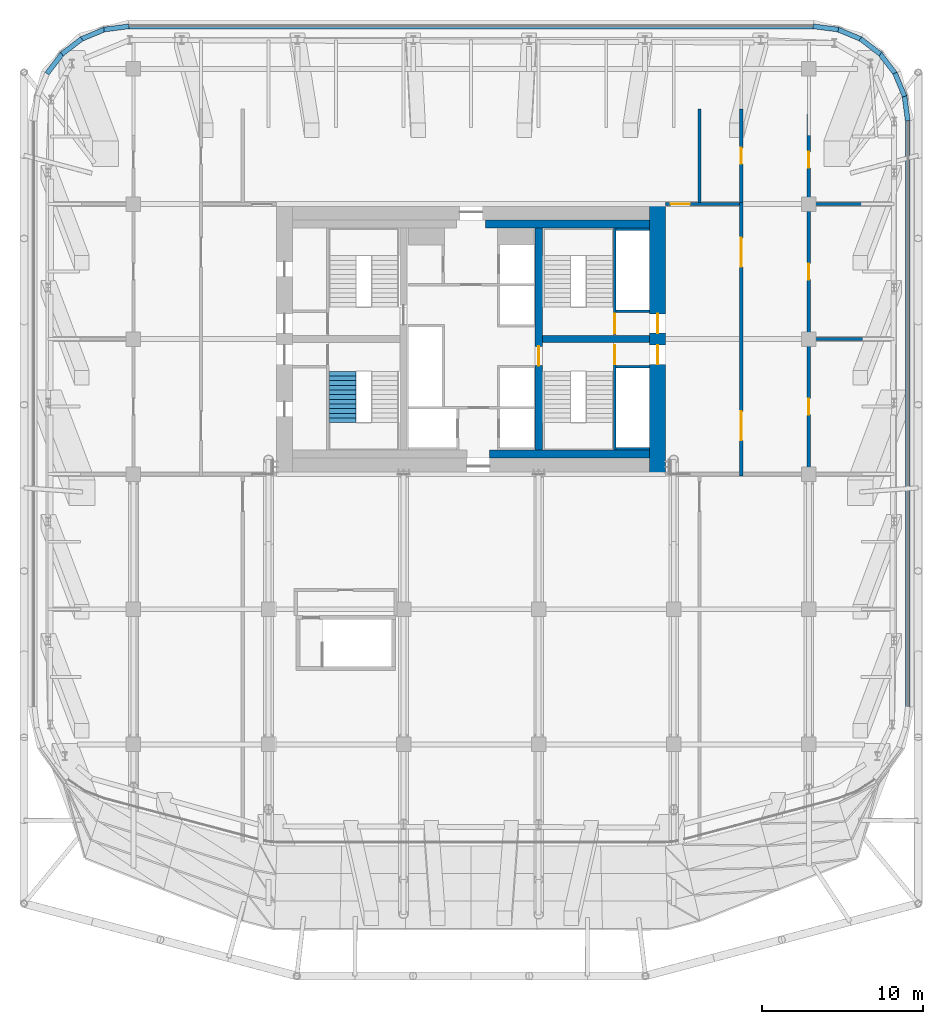
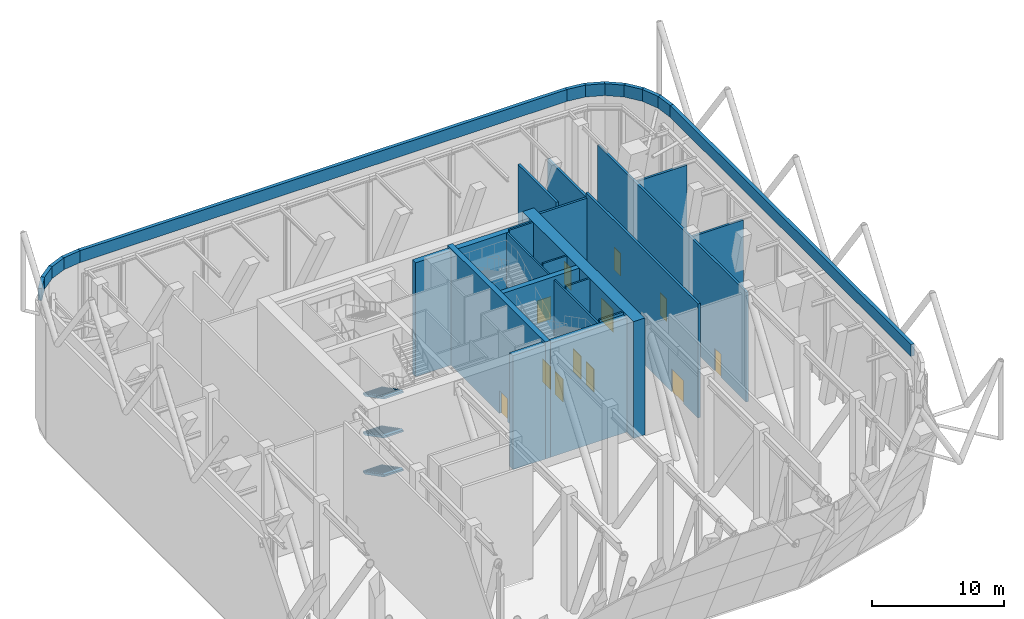
# One storey, part 12 of 20: 30 walls, 12 doors, 3 stair flights, 12 openings, 1 element without a shape of its own.
"""IFC4 building model written with IfcOpenShell, lengths in metres."""

from ifc_helpers import new_model, si_unit, direction, frame, frame_2d, origin, place, context, subcontext, project, spatial, polyline, rectangle, outline, extrude, material, layer, layer_set, type_object, element, fill, aggregate, save


model = new_model("IFC4")

# Units and contexts
model_context = context("Model", 3, precision=1e-05, world=origin(), true_north=direction((0.0, 1.0)))
body_context = subcontext(model_context, "Body", "Model", "MODEL_VIEW")
ifc_project = project(units=[si_unit("LENGTHUNIT", "METRE"), si_unit("AREAUNIT", "SQUARE_METRE"), si_unit("VOLUMEUNIT", "CUBIC_METRE"), si_unit("PLANEANGLEUNIT", "RADIAN"), si_unit("MASSUNIT", "GRAM", prefix="KILO")], contexts=[model_context])

# Site, building, storey
site_placement = place(None, origin())
site = spatial("IfcSite", under=ifc_project, at=site_placement, CompositionType="ELEMENT")
building_placement = place(site_placement, origin())
building = spatial("IfcBuilding", under=site, at=building_placement, Name="Marenta Gate Hotel Tower", CompositionType="ELEMENT")
storey_placement = place(building_placement, frame((0.0, 0.0, 169.699951171875)))
storey = spatial("IfcBuildingStorey", under=building, at=storey_placement, Name="L40", CompositionType="ELEMENT", Elevation=169.699951171875)

# Wall, openings, doors
ifc_material_1 = material(Name="Concrete blockwork", Category="masonry")
ifc_layer_1 = layer(ifc_material_1, 0.199951171875)
ifc_layer_set_1 = layer_set([ifc_layer_1], Name="Concrete blockwork")
wall_type_1 = type_object("IfcWallType", Name="Core boundary wall 200 REI 180", PredefinedType="PARTITIONING", material=ifc_layer_set_1)
wall_1_placement = place(storey_placement, frame((16.800048828125, -0.10009765625, 0.0), z_axis=(0.0, 0.0, 1.0), x_axis=(0.0, 1.0, 0.0)))
wall_1 = element("IfcWall", 1, at=wall_1_placement, inside=storey, type_object=wall_type_1, Name="L40-CP-BW-E", PredefinedType="PARTITIONING", context=body_context, shape_type="SweptSolid", body=[
    extrude(rectangle(XDim=17.0, YDim=0.199951171875, at=frame_2d((8.5, 0.0))), origin(), (0.0, 0.0, 1.0), 10.5400390625),
])
opening_1_placement = place(wall_1_placement, frame((2.199951171875, 0.0, 0.0)))
opening_1 = element("IfcOpeningElement", 2, at=opening_1_placement, cuts=wall_1, Name="Opening ED-Ea-B", PredefinedType="OPENING", context=body_context, shape_type="SweptSolid", body=[
    extrude(rectangle(XDim=1.800048828125, YDim=2.10009765625, at=frame_2d((0.89990234375, 1.050048828125))), frame((0.0, 0.10009765625, 0.0), z_axis=(0.0, -1.0, 0.0), x_axis=(1.0, 0.0, 0.0)), (0.0, 0.0, 1.0), 0.199951171875),
])
opening_2_placement = place(wall_1_placement, frame((13.0, 0.0, 0.0)))
opening_2 = element("IfcOpeningElement", 3, at=opening_2_placement, cuts=wall_1, Name="Opening ED-Eb-B", PredefinedType="OPENING", context=body_context, shape_type="SweptSolid", body=[
    extrude(rectangle(XDim=1.800048828125, YDim=2.10009765625, at=frame_2d((0.89990234375, 1.050048828125))), frame((0.0, 0.10009765625, 0.0), z_axis=(0.0, -1.0, 0.0), x_axis=(1.0, 0.0, 0.0)), (0.0, 0.0, 1.0), 0.199951171875),
])
ifc_material_2 = material(Name="Steel", Category="steel")
door_type_1 = type_object("IfcDoorType", Name="Core lobby entrance door 1800x2100 EI 60", OperationType="DOUBLE_DOOR_SINGLE_SWING", PredefinedType="DOOR", material=ifc_material_2)
door_1_placement = place(opening_1_placement, origin())
door_1 = element("IfcDoor", 4, at=door_1_placement, inside=storey, type_object=door_type_1, Name="ED-Ea-B", OperationType="DOUBLE_DOOR_SINGLE_SWING", OverallHeight=2.10009765625, OverallWidth=1.800048828125, PredefinedType="DOOR", context=body_context, shape_type="SweptSolid", body=[
    extrude(rectangle(XDim=1.800048828125, YDim=2.10009765625, at=frame_2d((0.89990234375, 1.050048828125))), frame((0.0, 0.02490234375, 0.0), z_axis=(0.0, -1.0, 0.0), x_axis=(1.0, 0.0, 0.0)), (0.0, 0.0, 1.0), 0.050048828125),
])
fill(opening_1, door_1)
door_2_placement = place(opening_2_placement, origin())
door_2 = element("IfcDoor", 5, at=door_2_placement, inside=storey, type_object=door_type_1, Name="ED-Eb-B", OperationType="DOUBLE_DOOR_SINGLE_SWING", OverallHeight=2.10009765625, OverallWidth=1.800048828125, PredefinedType="DOOR", context=body_context, shape_type="SweptSolid", body=[
    extrude(rectangle(XDim=1.800048828125, YDim=2.10009765625, at=frame_2d((0.89990234375, 1.050048828125))), frame((0.0, 0.02490234375, 0.0), z_axis=(0.0, -1.0, 0.0), x_axis=(1.0, 0.0, 0.0)), (0.0, 0.0, 1.0), 0.050048828125),
])
fill(opening_2, door_2)

# Wall, opening, door
wall_2_placement = place(storey_placement, frame((12.10009765625, 16.800048828125, 0.0), z_axis=(0.0, 0.0, 1.0), x_axis=(1.0, 0.0, 0.0)))
wall_2 = element("IfcWall", 6, at=wall_2_placement, inside=storey, type_object=wall_type_1, Name="L40-CP-EW-EN", PredefinedType="PARTITIONING", context=body_context, shape_type="SweptSolid", body=[
    extrude(rectangle(XDim=4.599853515625, YDim=0.199951171875, at=frame_2d((2.2998046875, 0.0))), origin(), (0.0, 0.0, 1.0), 10.14013671875),
])
opening_3_placement = place(wall_2_placement, frame((0.300048828125, 0.0, 0.0)))
opening_3 = element("IfcOpeningElement", 7, at=opening_3_placement, cuts=wall_2, Name="Opening RFD-EN", PredefinedType="OPENING", context=body_context, shape_type="SweptSolid", body=[
    extrude(rectangle(XDim=1.199951171875, YDim=2.10009765625, at=frame_2d((0.60009765625, 1.050048828125))), frame((0.0, 0.10009765625, 0.0), z_axis=(0.0, -1.0, 0.0), x_axis=(1.0, 0.0, 0.0)), (0.0, 0.0, 1.0), 0.199951171875),
])
ifc_material_3 = material(Name="Steel", Category="steel")
door_type_2 = type_object("IfcDoorType", Name="Core lobby door 1200x2100 FD60", OperationType="SINGLE_SWING_LEFT", PredefinedType="DOOR", material=ifc_material_3)
door_3_placement = place(opening_3_placement, origin())
door_3 = element("IfcDoor", 8, at=door_3_placement, inside=storey, type_object=door_type_2, Name="RFD-EN", OperationType="SINGLE_SWING_LEFT", OverallHeight=2.10009765625, OverallWidth=1.199951171875, PredefinedType="DOOR", context=body_context, shape_type="SweptSolid", body=[
    extrude(rectangle(XDim=1.199951171875, YDim=2.10009765625, at=frame_2d((0.60009765625, 1.050048828125))), frame((0.0, 0.02490234375, 0.0), z_axis=(0.0, -1.0, 0.0), x_axis=(1.0, 0.0, 0.0)), (0.0, 0.0, 1.0), 0.050048828125),
])
fill(opening_3, door_3)

# Walls
ifc_material_4 = material(Name="Concrete C40", Category="concrete")
ifc_layer_2 = layer(ifc_material_4, 0.5)
ifc_layer_set_2 = layer_set([ifc_layer_2], Name="Concrete C40")
wall_type_2 = type_object("IfcWallType", Name="Core lining wall 500 REI 180", PredefinedType="PARTITIONING", material=ifc_layer_set_2)
wall_3_placement = place(storey_placement, frame((1.14990234375, 1.25, 0.0), z_axis=(0.0, 0.0, 1.0), x_axis=(1.0, 0.0, 0.0)))
element("IfcWall", 9, at=wall_3_placement, inside=storey, type_object=wall_type_2, Name="L40-CP-LN-S2", PredefinedType="PARTITIONING", context=body_context, shape_type="SweptSolid", body=[
    extrude(rectangle(XDim=9.9501953125, YDim=0.5, at=frame_2d((4.97509765625, 0.0))), origin(), (0.0, 0.0, 1.0), 10.5400390625),
])
wall_4_placement = place(storey_placement, frame((0.89990234375, 15.550048828125, 0.0), z_axis=(0.0, 0.0, 1.0), x_axis=(1.0, 0.0, 0.0)))
element("IfcWall", 10, at=wall_4_placement, inside=storey, type_object=wall_type_2, Name="L40-CP-LN-N2", PredefinedType="PARTITIONING", context=body_context, shape_type="SweptSolid", body=[
    extrude(rectangle(XDim=10.2001953125, YDim=0.5, at=frame_2d((5.10009765625, 0.0))), origin(), (0.0, 0.0, 1.0), 10.5400390625),
])
ifc_material_5 = material(Name="Concrete C40", Category="concrete")
ifc_layer_3 = layer(ifc_material_5, 0.14990234375)
ifc_layer_set_3 = layer_set([ifc_layer_3], Name="Concrete C40")
wall_type_3 = type_object("IfcWallType", Name="Core shaft wall 150 REI 180", PredefinedType="SHEAR", material=ifc_layer_set_3)
for number, where, z_axis, x_axis, name in (
    (11, (9.0, 6.675048828125, 0.0), (0.0, 0.0, 1.0), (1.0, 0.0, 0.0), "L40-SHF-SW-ES-2"),
    (12, (9.0, 1.574951171875, 0.0), (0.0, 0.0, 1.0), (1.0, 0.0, 0.0), "L40-SHF-SW-ES-5"),
    (13, (9.0, 10.125, 0.0), (0.0, 0.0, 1.0), (1.0, 0.0, 0.0), "L40-SHF-SW-EN-2"),
    (14, (9.0, 15.22509765625, 0.0), (0.0, 0.0, 1.0), (1.0, 0.0, 0.0), "L40-SHF-SW-EN-5"),
):
    element("IfcWall", number, at=place(storey_placement, frame(where, z_axis=z_axis, x_axis=x_axis)), inside=storey, type_object=wall_type_3, Name=name, PredefinedType="SHEAR", context=body_context, shape_type="SweptSolid", body=[
        extrude(rectangle(XDim=2.10009765625, YDim=0.14990234375, at=frame_2d((1.050048828125, 0.0))), origin(), (0.0, 0.0, 1.0), 10.800048828125),
    ])

# Wall, opening, door
ifc_material_6 = material(Name="Concrete C40", Category="concrete")
ifc_layer_4 = layer(ifc_material_6, 0.14990234375)
ifc_layer_set_4 = layer_set([ifc_layer_4], Name="Concrete C40")
wall_type_4 = type_object("IfcWallType", Name="Core stair enclosure wall 150 REI 180", PredefinedType="SHEAR", material=ifc_layer_set_4)
wall_5_placement = place(storey_placement, frame((8.925048828125, 1.5, 0.0), z_axis=(0.0, 0.0, 1.0), x_axis=(0.0, 1.0, 0.0)))
wall_5 = element("IfcWall", 15, at=wall_5_placement, inside=storey, type_object=wall_type_4, Name="L40-SHF-SW-ES-3", PredefinedType="SHEAR", context=body_context, shape_type="SweptSolid", body=[
    extrude(rectangle(XDim=6.60009765625, YDim=0.14990234375, at=frame_2d((3.300048828125, 0.0))), origin(), (0.0, 0.0, 1.0), 10.5400390625),
])
opening_4_placement = place(wall_5_placement, frame((5.324951171875, 0.0, 0.0)))
opening_4 = element("IfcOpeningElement", 16, at=opening_4_placement, cuts=wall_5, Name="Opening SD-ES", PredefinedType="OPENING", context=body_context, shape_type="SweptSolid", body=[
    extrude(rectangle(XDim=1.199951171875, YDim=2.10009765625, at=frame_2d((0.60009765625, 1.050048828125))), frame((0.0, 0.074951171875, 0.0), z_axis=(0.0, -1.0, 0.0), x_axis=(1.0, 0.0, 0.0)), (0.0, 0.0, 1.0), 0.14990234375),
])
ifc_material_7 = material(Name="Steel", Category="steel")
door_type_3 = type_object("IfcDoorType", Name="Core stair door 1200x2100 FD60", OperationType="SINGLE_SWING_LEFT", PredefinedType="DOOR", material=ifc_material_7)
door_4_placement = place(opening_4_placement, origin())
door_4 = element("IfcDoor", 17, at=door_4_placement, inside=storey, type_object=door_type_3, Name="SD-ES", OperationType="SINGLE_SWING_LEFT", OverallHeight=2.10009765625, OverallWidth=1.199951171875, PredefinedType="DOOR", context=body_context, shape_type="SweptSolid", body=[
    extrude(rectangle(XDim=1.199951171875, YDim=2.10009765625, at=frame_2d((0.60009765625, 1.050048828125))), frame((0.0, 0.02490234375, 0.0), z_axis=(0.0, -1.0, 0.0), x_axis=(1.0, 0.0, 0.0)), (0.0, 0.0, 1.0), 0.050048828125),
])
fill(opening_4, door_4)

wall_6_placement = place(storey_placement, frame((8.925048828125, 8.699951171875, 0.0), z_axis=(0.0, 0.0, 1.0), x_axis=(0.0, 1.0, 0.0)))
wall_6 = element("IfcWall", 18, at=wall_6_placement, inside=storey, type_object=wall_type_4, Name="L40-SHF-SW-EN-3", PredefinedType="SHEAR", context=body_context, shape_type="SweptSolid", body=[
    extrude(rectangle(XDim=6.60009765625, YDim=0.14990234375, at=frame_2d((3.300048828125, 0.0))), origin(), (0.0, 0.0, 1.0), 10.5400390625),
])
opening_5_placement = place(wall_6_placement, frame((0.074951171875, 0.0, 0.0)))
opening_5 = element("IfcOpeningElement", 19, at=opening_5_placement, cuts=wall_6, Name="Opening SD-EN", PredefinedType="OPENING", context=body_context, shape_type="SweptSolid", body=[
    extrude(rectangle(XDim=1.199951171875, YDim=2.10009765625, at=frame_2d((0.60009765625, 1.050048828125))), frame((0.0, 0.074951171875, 0.0), z_axis=(0.0, -1.0, 0.0), x_axis=(1.0, 0.0, 0.0)), (0.0, 0.0, 1.0), 0.14990234375),
])
door_5_placement = place(opening_5_placement, origin())
door_5 = element("IfcDoor", 20, at=door_5_placement, inside=storey, type_object=door_type_3, Name="SD-EN", OperationType="SINGLE_SWING_LEFT", OverallHeight=2.10009765625, OverallWidth=1.199951171875, PredefinedType="DOOR", context=body_context, shape_type="SweptSolid", body=[
    extrude(rectangle(XDim=1.199951171875, YDim=2.10009765625, at=frame_2d((0.60009765625, 1.050048828125))), frame((0.0, 0.02490234375, 0.0), z_axis=(0.0, -1.0, 0.0), x_axis=(1.0, 0.0, 0.0)), (0.0, 0.0, 1.0), 0.050048828125),
])
fill(opening_5, door_5)

# Wall, openings, doors
ifc_material_8 = material(Name="Concrete C70", Category="concrete")
ifc_layer_5 = layer(ifc_material_8, 1.0)
ifc_layer_set_5 = layer_set([ifc_layer_5], Name="Concrete C70")
wall_type_5 = type_object("IfcWallType", Name="Core wall 1000 C70", PredefinedType="SHEAR", material=ifc_layer_set_5)
wall_7_placement = place(storey_placement, frame((11.60009765625, 0.0, 0.0), z_axis=(0.0, 0.0, 1.0), x_axis=(0.0, 1.0, 0.0)))
wall_7 = element("IfcWall", 21, at=wall_7_placement, inside=storey, type_object=wall_type_5, Name="L40-CORE-E", PredefinedType="SHEAR", context=body_context, shape_type="SweptSolid", body=[
    extrude(rectangle(XDim=16.800048828125, YDim=1.0, at=frame_2d((8.39990234375, 0.0))), origin(), (0.0, 0.0, 1.0), 10.800048828125),
])
opening_6_placement = place(wall_7_placement, frame((6.824951171875, 0.0, 0.0)))
opening_6 = element("IfcOpeningElement", 22, at=opening_6_placement, cuts=wall_7, Name="Opening PD-ES", PredefinedType="OPENING", context=body_context, shape_type="SweptSolid", body=[
    extrude(rectangle(XDim=1.199951171875, YDim=2.10009765625, at=frame_2d((0.60009765625, 1.050048828125))), frame((0.0, 0.5, 0.0), z_axis=(0.0, -1.0, 0.0), x_axis=(1.0, 0.0, 0.0)), (0.0, 0.0, 1.0), 1.0),
])
opening_7_placement = place(wall_7_placement, frame((8.77490234375, 0.0, 0.0)))
opening_7 = element("IfcOpeningElement", 23, at=opening_7_placement, cuts=wall_7, Name="Opening PD-EN", PredefinedType="OPENING", context=body_context, shape_type="SweptSolid", body=[
    extrude(rectangle(XDim=1.199951171875, YDim=2.10009765625, at=frame_2d((0.60009765625, 1.050048828125))), frame((0.0, 0.5, 0.0), z_axis=(0.0, -1.0, 0.0), x_axis=(1.0, 0.0, 0.0)), (0.0, 0.0, 1.0), 1.0),
])
door_6_placement = place(opening_6_placement, origin())
door_6 = element("IfcDoor", 24, at=door_6_placement, inside=storey, type_object=door_type_2, Name="PD-ES", OperationType="SINGLE_SWING_LEFT", OverallHeight=2.10009765625, OverallWidth=1.199951171875, PredefinedType="DOOR", context=body_context, shape_type="SweptSolid", body=[
    extrude(rectangle(XDim=1.199951171875, YDim=2.10009765625, at=frame_2d((0.60009765625, 1.050048828125))), frame((0.0, 0.02490234375, 0.0), z_axis=(0.0, -1.0, 0.0), x_axis=(1.0, 0.0, 0.0)), (0.0, 0.0, 1.0), 0.050048828125),
])
fill(opening_6, door_6)
door_7_placement = place(opening_7_placement, origin())
door_7 = element("IfcDoor", 25, at=door_7_placement, inside=storey, type_object=door_type_2, Name="PD-EN", OperationType="SINGLE_SWING_LEFT", OverallHeight=2.10009765625, OverallWidth=1.199951171875, PredefinedType="DOOR", context=body_context, shape_type="SweptSolid", body=[
    extrude(rectangle(XDim=1.199951171875, YDim=2.10009765625, at=frame_2d((0.60009765625, 1.050048828125))), frame((0.0, 0.02490234375, 0.0), z_axis=(0.0, -1.0, 0.0), x_axis=(1.0, 0.0, 0.0)), (0.0, 0.0, 1.0), 0.050048828125),
])
fill(opening_7, door_7)

# Wall, opening, door
ifc_material_9 = material(Name="Concrete C70", Category="concrete")
ifc_layer_6 = layer(ifc_material_9, 0.449951171875)
ifc_layer_set_6 = layer_set([ifc_layer_6], Name="Concrete C70")
wall_type_6 = type_object("IfcWallType", Name="Core web 450 C70", PredefinedType="SHEAR", material=ifc_layer_set_6)
wall_8_placement = place(storey_placement, frame((4.199951171875, 1.0, 0.0), z_axis=(0.0, 0.0, 1.0), x_axis=(0.0, 1.0, 0.0)))
wall_8 = element("IfcWall", 26, at=wall_8_placement, inside=storey, type_object=wall_type_6, Name="L40-CORE-W2", PredefinedType="SHEAR", context=body_context, shape_type="SweptSolid", body=[
    extrude(rectangle(XDim=14.800048828125, YDim=0.449951171875, at=frame_2d((7.39990234375, 0.0))), origin(), (0.0, 0.0, 1.0), 10.800048828125),
])
opening_8_placement = place(wall_8_placement, frame((5.75, 0.0, 0.0)))
opening_8 = element("IfcOpeningElement", 27, at=opening_8_placement, cuts=wall_8, Name="Opening WD-E", PredefinedType="OPENING", context=body_context, shape_type="SweptSolid", body=[
    extrude(rectangle(XDim=1.199951171875, YDim=2.10009765625, at=frame_2d((0.60009765625, 1.050048828125))), frame((0.0, 0.22509765625, 0.0), z_axis=(0.0, -1.0, 0.0), x_axis=(1.0, 0.0, 0.0)), (0.0, 0.0, 1.0), 0.449951171875),
])
door_8_placement = place(opening_8_placement, origin())
door_8 = element("IfcDoor", 28, at=door_8_placement, inside=storey, type_object=door_type_3, Name="WD-E", OperationType="SINGLE_SWING_LEFT", OverallHeight=2.10009765625, OverallWidth=1.199951171875, PredefinedType="DOOR", context=body_context, shape_type="SweptSolid", body=[
    extrude(rectangle(XDim=1.199951171875, YDim=2.10009765625, at=frame_2d((0.60009765625, 1.050048828125))), frame((0.0, 0.02490234375, 0.0), z_axis=(0.0, -1.0, 0.0), x_axis=(1.0, 0.0, 0.0)), (0.0, 0.0, 1.0), 0.050048828125),
])
fill(opening_8, door_8)

# Walls
wall_9_placement = place(storey_placement, frame((4.425048828125, 8.39990234375, 0.0), z_axis=(0.0, 0.0, 1.0), x_axis=(1.0, 0.0, 0.0)))
element("IfcWall", 29, at=wall_9_placement, inside=storey, type_object=wall_type_6, Name="L40-CORE-W4", PredefinedType="SHEAR", context=body_context, shape_type="SweptSolid", body=[
    extrude(rectangle(XDim=6.675048828125, YDim=0.449951171875, at=frame_2d((3.33740234375, 0.0))), origin(), (0.0, 0.0, 1.0), 10.800048828125),
])
ifc_material_10 = material(Name="Concrete C40 board-marked", Category="concrete")
ifc_layer_7 = layer(ifc_material_10, 0.300048828125)
ifc_layer_set_7 = layer_set([ifc_layer_7], Name="Concrete C40 board-marked")
wall_type_7 = type_object("IfcWallType", Name="Parapet 300 mm board-marked concrete", PredefinedType="PARAPET", material=ifc_layer_set_7)
for number, where, z_axis, x_axis, name in (
    (30, (-26.377197265625, 24.90869140625, 10.800048828125), (0.0, 0.0, 1.0), (0.608791411033, 0.793330333374, 0.0), "L40-PAR-00060"),
    (31, (-25.451416015625, 26.12353515625, 10.800048828125), (0.0, 0.0, 1.0), (0.793330333374, 0.608791411033, 0.0), "L40-PAR-00070"),
    (32, (-24.24267578125, 27.0576171875, 10.800048828125), (0.0, 0.0, 1.0), (0.923904767481, 0.382622504077, 0.0), "L40-PAR-00080"),
):
    element("IfcWall", number, at=place(storey_placement, frame(where, z_axis=z_axis, x_axis=x_axis)), inside=storey, type_object=wall_type_7, Name=name, PredefinedType="PARAPET", context=body_context, shape_type="SweptSolid", body=[
        extrude(rectangle(XDim=1.56640625, YDim=0.300048828125, at=frame_2d((0.783203125, 0.0))), origin(), (0.0, 0.0, 1.0), 1.10009765625),
    ])
wall_10_placement = place(storey_placement, frame((-22.833251953125, 27.64697265625, 10.800048828125), z_axis=(0.0, 0.0, 1.0), x_axis=(0.991451111683, 0.130478707622, 0.0)))
element("IfcWall", 33, at=wall_10_placement, inside=storey, type_object=wall_type_7, Name="L40-PAR-00090", PredefinedType="PARAPET", context=body_context, shape_type="SweptSolid", body=[
    extrude(rectangle(XDim=1.566162109375, YDim=0.300048828125, at=frame_2d((0.783203125, 0.0))), origin(), (0.0, 0.0, 1.0), 1.10009765625),
])
wall_11_placement = place(storey_placement, frame((-21.300048828125, 27.85009765625, 10.800048828125), z_axis=(0.0, 0.0, 1.0), x_axis=(1.0, 0.0, 0.0)))
element("IfcWall", 34, at=wall_11_placement, inside=storey, type_object=wall_type_7, Name="L40-PAR-00100", PredefinedType="PARAPET", context=body_context, shape_type="SweptSolid", body=[
    extrude(rectangle(XDim=42.60009765625, YDim=0.300048828125, at=frame_2d((21.300048828125, 0.0))), origin(), (0.0, 0.0, 1.0), 1.10009765625),
])
wall_12_placement = place(storey_placement, frame((21.280517578125, 27.851318359375, 10.800048828125), z_axis=(0.0, 0.0, 1.0), x_axis=(0.991451111683, -0.130478707622, 0.0)))
element("IfcWall", 35, at=wall_12_placement, inside=storey, type_object=wall_type_7, Name="L40-PAR-00110", PredefinedType="PARAPET", context=body_context, shape_type="SweptSolid", body=[
    extrude(rectangle(XDim=1.566162109375, YDim=0.300048828125, at=frame_2d((0.783203125, 0.0))), origin(), (0.0, 0.0, 1.0), 1.10009765625),
])
for number, where, z_axis, x_axis, name in (
    (36, (22.79541015625, 27.656982421875, 10.800048828125), (0.0, 0.0, 1.0), (0.923904767481, -0.382622504077, 0.0), "L40-PAR-00120"),
    (37, (24.208740234375, 27.0771484375, 10.800048828125), (0.0, 0.0, 1.0), (0.793330333374, -0.608791411033, 0.0), "L40-PAR-00130"),
    (38, (25.423583984375, 26.1513671875, 10.800048828125), (0.0, 0.0, 1.0), (0.608791411033, -0.793330333374, 0.0), "L40-PAR-00140"),
):
    element("IfcWall", number, at=place(storey_placement, frame(where, z_axis=z_axis, x_axis=x_axis)), inside=storey, type_object=wall_type_7, Name=name, PredefinedType="PARAPET", context=body_context, shape_type="SweptSolid", body=[
        extrude(rectangle(XDim=1.56640625, YDim=0.300048828125, at=frame_2d((0.783203125, 0.0))), origin(), (0.0, 0.0, 1.0), 1.10009765625),
    ])
for number, where, z_axis, x_axis, name in (
    (39, (26.357666015625, 24.942626953125, 10.800048828125), (0.0, 0.0, 1.0), (0.382677606907, -0.923881945474, 0.0), "L40-PAR-00150"),
    (40, (26.947021484375, 23.533203125, 10.800048828125), (0.0, 0.0, 1.0), (0.130478707622, -0.991451111683, 0.0), "L40-PAR-00160"),
):
    element("IfcWall", number, at=place(storey_placement, frame(where, z_axis=z_axis, x_axis=x_axis)), inside=storey, type_object=wall_type_7, Name=name, PredefinedType="PARAPET", context=body_context, shape_type="SweptSolid", body=[
        extrude(rectangle(XDim=1.566162109375, YDim=0.300048828125, at=frame_2d((0.783203125, 0.0))), origin(), (0.0, 0.0, 1.0), 1.10009765625),
    ])
wall_13_placement = place(storey_placement, frame((27.14990234375, 22.0, 10.800048828125), z_axis=(0.0, 0.0, 1.0), x_axis=(0.0, -1.0, 0.0)))
element("IfcWall", 41, at=wall_13_placement, inside=storey, type_object=wall_type_7, Name="L40-PAR-00170", PredefinedType="PARAPET", context=body_context, shape_type="SweptSolid", body=[
    extrude(rectangle(XDim=36.484375, YDim=0.300048828125, at=frame_2d((18.2421875, 0.0))), origin(), (0.0, 0.0, 1.0), 1.10009765625),
])

# Wall, openings, doors
ifc_material_11 = material(Name="Gypsum board on steel stud", Category="steel")
ifc_layer_8 = layer(ifc_material_11, 0.199951171875)
ifc_layer_set_8 = layer_set([ifc_layer_8], Name="Gypsum board on steel stud")
wall_type_8 = type_object("IfcWallType", Name="Room corridor wall 200 EI 60", PredefinedType="PARTITIONING", material=ifc_layer_set_8)
wall_14_placement = place(storey_placement, frame((21.0, -0.10009765625, 0.0), z_axis=(0.0, 0.0, 1.0), x_axis=(0.0, 1.0, 0.0)))
wall_14 = element("IfcWall", 42, at=wall_14_placement, inside=storey, type_object=wall_type_8, Name="L40-PTN-W001", PredefinedType="PARTITIONING", context=body_context, shape_type="SweptSolid", body=[
    extrude(rectangle(XDim=22.4931640625, YDim=0.199951171875, at=frame_2d((11.24658203125, 0.0))), origin(), (0.0, 0.0, 1.0), 10.14013671875),
])
opening_9_placement = place(wall_14_placement, frame((3.800048828125, 0.0, 0.0)))
opening_9 = element("IfcOpeningElement", 43, at=opening_9_placement, cuts=wall_14, Name="Opening S09-04", PredefinedType="OPENING", context=body_context, shape_type="SweptSolid", body=[
    extrude(rectangle(XDim=1.0, YDim=2.10009765625, at=frame_2d((0.5, 1.050048828125))), frame((0.0, 0.10009765625, 0.0), z_axis=(0.0, -1.0, 0.0), x_axis=(1.0, 0.0, 0.0)), (0.0, 0.0, 1.0), 0.199951171875),
])
opening_10_placement = place(wall_14_placement, frame((12.199951171875, 0.0, 0.0)))
opening_10 = element("IfcOpeningElement", 44, at=opening_10_placement, cuts=wall_14, Name="Opening S09-05", PredefinedType="OPENING", context=body_context, shape_type="SweptSolid", body=[
    extrude(rectangle(XDim=1.0, YDim=2.10009765625, at=frame_2d((0.5, 1.050048828125))), frame((0.0, 0.10009765625, 0.0), z_axis=(0.0, -1.0, 0.0), x_axis=(1.0, 0.0, 0.0)), (0.0, 0.0, 1.0), 0.199951171875),
])
opening_11_placement = place(wall_14_placement, frame((19.14599609375, 0.0, 0.0)))
opening_11 = element("IfcOpeningElement", 45, at=opening_11_placement, cuts=wall_14, Name="Opening S09-06", PredefinedType="OPENING", context=body_context, shape_type="SweptSolid", body=[
    extrude(rectangle(XDim=1.0, YDim=2.10009765625, at=frame_2d((0.5, 1.050048828125))), frame((0.0, 0.10009765625, 0.0), z_axis=(0.0, -1.0, 0.0), x_axis=(1.0, 0.0, 0.0)), (0.0, 0.0, 1.0), 0.199951171875),
])
ifc_material_12 = material(Name="Hollow steel door set", Category="steel")
door_type_4 = type_object("IfcDoorType", Name="Plant room door 1000x2100 EI 30", OperationType="NOTDEFINED", PredefinedType="DOOR", material=ifc_material_12)
door_9_placement = place(opening_9_placement, origin())
door_9 = element("IfcDoor", 46, at=door_9_placement, inside=storey, type_object=door_type_4, Name="L40-PD-D004", OperationType="SINGLE_SWING_LEFT", OverallHeight=2.10009765625, OverallWidth=1.0, PredefinedType="DOOR", context=body_context, shape_type="SweptSolid", body=[
    extrude(rectangle(XDim=1.0, YDim=2.10009765625, at=frame_2d((0.5, 1.050048828125))), frame((0.0, 0.02490234375, 0.0), z_axis=(0.0, -1.0, 0.0), x_axis=(1.0, 0.0, 0.0)), (0.0, 0.0, 1.0), 0.050048828125),
])
fill(opening_9, door_9)
door_10_placement = place(opening_10_placement, origin())
door_10 = element("IfcDoor", 47, at=door_10_placement, inside=storey, type_object=door_type_4, Name="L40-PD-D005", OperationType="SINGLE_SWING_RIGHT", OverallHeight=2.10009765625, OverallWidth=1.0, PredefinedType="DOOR", context=body_context, shape_type="SweptSolid", body=[
    extrude(rectangle(XDim=1.0, YDim=2.10009765625, at=frame_2d((0.5, 1.050048828125))), frame((0.0, 0.02490234375, 0.0), z_axis=(0.0, -1.0, 0.0), x_axis=(1.0, 0.0, 0.0)), (0.0, 0.0, 1.0), 0.050048828125),
])
fill(opening_10, door_10)
door_11_placement = place(opening_11_placement, origin())
door_11 = element("IfcDoor", 48, at=door_11_placement, inside=storey, type_object=door_type_4, Name="L40-PD-D006", OperationType="SINGLE_SWING_LEFT", OverallHeight=2.10009765625, OverallWidth=1.0, PredefinedType="DOOR", context=body_context, shape_type="SweptSolid", body=[
    extrude(rectangle(XDim=1.0, YDim=2.10009765625, at=frame_2d((0.5, 1.050048828125))), frame((0.0, 0.02490234375, 0.0), z_axis=(0.0, -1.0, 0.0), x_axis=(1.0, 0.0, 0.0)), (0.0, 0.0, 1.0), 0.050048828125),
])
fill(opening_11, door_11)

# Wall, opening, door
wall_15_placement = place(storey_placement, frame((16.800048828125, 16.89990234375, 0.0), z_axis=(0.0, 0.0, 1.0), x_axis=(0.0, 1.0, 0.0)))
wall_15 = element("IfcWall", 49, at=wall_15_placement, inside=storey, type_object=wall_type_8, Name="L40-PTN-W002", PredefinedType="PARTITIONING", context=body_context, shape_type="SweptSolid", body=[
    extrude(rectangle(XDim=5.800048828125, YDim=0.199951171875, at=frame_2d((2.89990234375, 0.0))), origin(), (0.0, 0.0, 1.0), 10.14013671875),
])
opening_12_placement = place(wall_15_placement, frame((2.39990234375, 0.0, 0.0)))
opening_12 = element("IfcOpeningElement", 50, at=opening_12_placement, cuts=wall_15, Name="Opening S09-08", PredefinedType="OPENING", context=body_context, shape_type="SweptSolid", body=[
    extrude(rectangle(XDim=1.0, YDim=2.10009765625, at=frame_2d((0.5, 1.050048828125))), frame((0.0, 0.10009765625, 0.0), z_axis=(0.0, -1.0, 0.0), x_axis=(1.0, 0.0, 0.0)), (0.0, 0.0, 1.0), 0.199951171875),
])
door_12_placement = place(opening_12_placement, origin())
door_12 = element("IfcDoor", 51, at=door_12_placement, inside=storey, type_object=door_type_4, Name="L40-PD-D008", OperationType="SINGLE_SWING_RIGHT", OverallHeight=2.10009765625, OverallWidth=1.0, PredefinedType="DOOR", context=body_context, shape_type="SweptSolid", body=[
    extrude(rectangle(XDim=1.0, YDim=2.10009765625, at=frame_2d((0.5, 1.050048828125))), frame((0.0, 0.02490234375, 0.0), z_axis=(0.0, -1.0, 0.0), x_axis=(1.0, 0.0, 0.0)), (0.0, 0.0, 1.0), 0.050048828125),
])
fill(opening_12, door_12)

# Walls
ifc_material_13 = material(Name="Gypsum board on steel stud", Category="steel")
ifc_layer_9 = layer(ifc_material_13, 0.199951171875)
ifc_layer_set_9 = layer_set([ifc_layer_9], Name="Gypsum board on steel stud")
wall_type_9 = type_object("IfcWallType", Name="Room party wall 200 EI 60", PredefinedType="PARTITIONING", material=ifc_layer_set_9)
wall_16_placement = place(storey_placement, frame((21.10009765625, 8.39990234375, 0.0), z_axis=(0.0, 0.0, 1.0), x_axis=(1.0, 0.0, 0.0)))
element("IfcWall", 52, at=wall_16_placement, inside=storey, type_object=wall_type_9, Name="L40-PTN-W012", PredefinedType="PARTITIONING", context=body_context, shape_type="SweptSolid", body=[
    extrude(rectangle(XDim=4.39990234375, YDim=0.199951171875, at=frame_2d((2.199951171875, 0.0))), origin(), (0.0, 0.0, 1.0), 10.14013671875),
])
wall_17_placement = place(storey_placement, frame((21.10009765625, 16.800048828125, 0.0), z_axis=(0.0, 0.0, 1.0), x_axis=(1.0, 0.0, 0.0)))
element("IfcWall", 53, at=wall_17_placement, inside=storey, type_object=wall_type_9, Name="L40-PTN-W018", PredefinedType="PARTITIONING", context=body_context, shape_type="SweptSolid", body=[
    extrude(rectangle(XDim=4.346923828125, YDim=0.199951171875, at=frame_2d((2.17333984375, 0.0))), origin(), (0.0, 0.0, 1.0), 10.14013671875),
])
ifc_material_14 = material(Name="Concrete blockwork", Category="masonry")
ifc_layer_10 = layer(ifc_material_14, 0.199951171875)
ifc_layer_set_10 = layer_set([ifc_layer_10], Name="Concrete blockwork")
wall_type_10 = type_object("IfcWallType", Name="Room party wall 200 REI 180", PredefinedType="PARTITIONING", material=ifc_layer_set_10)
wall_18_placement = place(storey_placement, frame((14.199951171875, 16.89990234375, 0.0), z_axis=(0.0, 0.0, 1.0), x_axis=(0.0, 1.0, 0.0)))
element("IfcWall", 54, at=wall_18_placement, inside=storey, type_object=wall_type_10, Name="L40-PTN-W004", PredefinedType="PARTITIONING", context=body_context, shape_type="SweptSolid", body=[
    extrude(rectangle(XDim=5.800048828125, YDim=0.199951171875, at=frame_2d((2.89990234375, 0.0))), origin(), (0.0, 0.0, 1.0), 10.5400390625),
])

# Stair, stair flights
ifc_material_15 = material(Name="Concrete C40", Category="concrete")
stair_type = type_object("IfcStairType", Name="Core exit stair 1700 wide", PredefinedType="HALF_TURN_STAIR", material=ifc_material_15)
stair_placement = place(storey_placement, origin())
stair = element("IfcStair", 55, at=stair_placement, inside=storey, type_object=stair_type, Name="Exit stair 1", PredefinedType="HALF_TURN_STAIR")
ifc_material_16 = material(Name="Concrete C40", Category="concrete")
stair_flight_type = type_object("IfcStairFlightType", Name="Core stair flight 1700 riser 150.0 going 290", PredefinedType="STRAIGHT", material=ifc_material_16)
stair_flight_1_placement = place(storey_placement, frame((-8.0, 6.39990234375, 0.0), z_axis=(0.0, 0.0, 1.0), x_axis=(0.0, -1.0, 0.0)))
stair_flight_1 = element("IfcStairFlight", 56, at=stair_flight_1_placement, type_object=stair_flight_type, Name="ST1 flight 1", NumberOfRisers=12, NumberOfTreads=11, PredefinedType="STRAIGHT", RiserHeight=0.15, TreadLength=0.29, context=body_context, shape_type="SweptSolid", body=[
    extrude(outline(polyline([(0.0, 0.0), (0.0, 0.14990234375), (0.2900390625, 0.14990234375), (0.2900390625, 0.300048828125), (0.580078125, 0.300048828125), (0.580078125, 0.449951171875), (0.8701171875, 0.449951171875), (0.8701171875, 0.60009765625), (1.159912109375, 0.60009765625), (1.159912109375, 0.75), (1.449951171875, 0.75), (1.449951171875, 0.89990234375), (1.739990234375, 0.89990234375), (1.739990234375, 1.050048828125), (2.030029296875, 1.050048828125), (2.030029296875, 1.199951171875), (2.320068359375, 1.199951171875), (2.320068359375, 1.35009765625), (2.610107421875, 1.35009765625), (2.610107421875, 1.5), (2.89990234375, 1.5), (2.89990234375, 1.64990234375), (3.18994140625, 1.64990234375), (3.18994140625, 1.800048828125), (3.18994140625, 1.481201171875), (0.326171875, 0.0), (0.0, 0.0)])), frame((0.0, 0.85009765625, 0.0), z_axis=(0.0, -1.0, 0.0), x_axis=(1.0, 0.0, 0.0)), (0.0, 0.0, 1.0), 1.699951171875),
])
stair_flight_2_placement = place(storey_placement, frame((-8.0, 6.39990234375, 3.60009765625), z_axis=(0.0, 0.0, 1.0), x_axis=(0.0, -1.0, 0.0)))
stair_flight_2 = element("IfcStairFlight", 57, at=stair_flight_2_placement, type_object=stair_flight_type, Name="ST1 flight 3", NumberOfRisers=12, NumberOfTreads=11, PredefinedType="STRAIGHT", RiserHeight=0.15, TreadLength=0.29, context=body_context, shape_type="SweptSolid", body=[
    extrude(outline(polyline([(0.0, 0.0), (0.0, 0.14990234375), (0.2900390625, 0.14990234375), (0.2900390625, 0.300048828125), (0.580078125, 0.300048828125), (0.580078125, 0.449951171875), (0.8701171875, 0.449951171875), (0.8701171875, 0.60009765625), (1.159912109375, 0.60009765625), (1.159912109375, 0.75), (1.449951171875, 0.75), (1.449951171875, 0.89990234375), (1.739990234375, 0.89990234375), (1.739990234375, 1.050048828125), (2.030029296875, 1.050048828125), (2.030029296875, 1.199951171875), (2.320068359375, 1.199951171875), (2.320068359375, 1.35009765625), (2.610107421875, 1.35009765625), (2.610107421875, 1.5), (2.89990234375, 1.5), (2.89990234375, 1.64990234375), (3.18994140625, 1.64990234375), (3.18994140625, 1.800048828125), (3.18994140625, 1.481201171875), (0.326171875, 0.0), (0.0, 0.0)])), frame((0.0, 0.85009765625, 0.0), z_axis=(0.0, -1.0, 0.0), x_axis=(1.0, 0.0, 0.0)), (0.0, 0.0, 1.0), 1.699951171875),
])
stair_flight_3_placement = place(storey_placement, frame((-8.0, 6.39990234375, 7.199951171875), z_axis=(0.0, 0.0, 1.0), x_axis=(0.0, -1.0, 0.0)))
stair_flight_3 = element("IfcStairFlight", 58, at=stair_flight_3_placement, type_object=stair_flight_type, Name="ST1 flight 5", NumberOfRisers=12, NumberOfTreads=11, PredefinedType="STRAIGHT", RiserHeight=0.15, TreadLength=0.29, context=body_context, shape_type="SweptSolid", body=[
    extrude(outline(polyline([(0.0, 0.0), (0.0, 0.14990234375), (0.2900390625, 0.14990234375), (0.2900390625, 0.300048828125), (0.580078125, 0.300048828125), (0.580078125, 0.449951171875), (0.8701171875, 0.449951171875), (0.8701171875, 0.60009765625), (1.159912109375, 0.60009765625), (1.159912109375, 0.75), (1.449951171875, 0.75), (1.449951171875, 0.89990234375), (1.739990234375, 0.89990234375), (1.739990234375, 1.050048828125), (2.030029296875, 1.050048828125), (2.030029296875, 1.199951171875), (2.320068359375, 1.199951171875), (2.320068359375, 1.35009765625), (2.610107421875, 1.35009765625), (2.610107421875, 1.5), (2.89990234375, 1.5), (2.89990234375, 1.64990234375), (3.18994140625, 1.64990234375), (3.18994140625, 1.800048828125), (3.18994140625, 1.481201171875), (0.326171875, 0.0), (0.0, 0.0)])), frame((0.0, 0.85009765625, 0.0), z_axis=(0.0, -1.0, 0.0), x_axis=(1.0, 0.0, 0.0)), (0.0, 0.0, 1.0), 1.699951171875),
])
aggregate(stair, [stair_flight_1, stair_flight_2, stair_flight_3])

save(model, "model.ifc")
